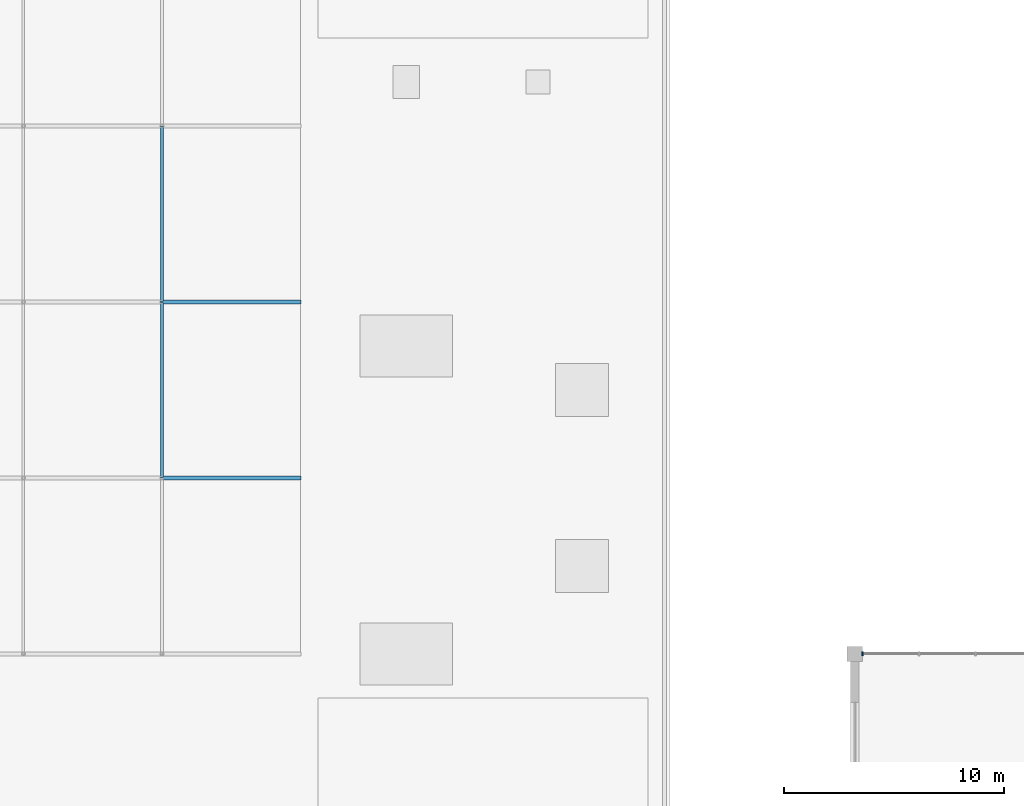
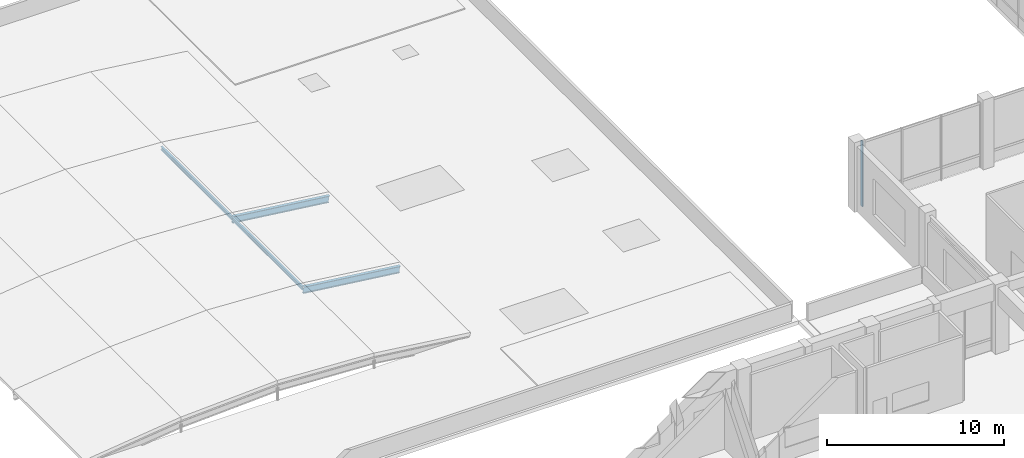
# One storey, part 28 of 76: 5 members, 1 element without a shape of its own.
"""IFC4 building model written with IfcOpenShell, lengths in metres."""

from ifc_helpers import new_model, si_unit, direction, frame, origin, origin_2d, place, context, subcontext, project, spatial, rectangle, i_section, extrude, material, layer, layer_set, material_profile, profile_set, type_object, element, aggregate, save


model = new_model("IFC4")

# Units and contexts
model_context = context("Model", 3, precision=1e-05, world=origin(), true_north=direction((0.0, 1.0)))
body_context = subcontext(model_context, "Body", "Model", "MODEL_VIEW")
ifc_project = project(units=[si_unit("LENGTHUNIT", "METRE"), si_unit("AREAUNIT", "SQUARE_METRE"), si_unit("VOLUMEUNIT", "CUBIC_METRE"), si_unit("PLANEANGLEUNIT", "RADIAN"), si_unit("MASSUNIT", "GRAM", prefix="KILO")], contexts=[model_context])

# Site, building, storey
site_placement = place(None, origin())
site = spatial("IfcSite", under=ifc_project, at=site_placement, CompositionType="ELEMENT")
building_placement = place(site_placement, origin())
building = spatial("IfcBuilding", under=site, at=building_placement, Name="Naruveol Harbour Congress Hotel", CompositionType="ELEMENT")
storey_placement = place(building_placement, frame((0.0, 0.0, 11.39990234375)))
storey = spatial("IfcBuildingStorey", under=building, at=storey_placement, Name="L02", CompositionType="ELEMENT", Elevation=11.39990234375)

# Members
ifc_material_1 = material(Name="Steel SN490", Category="steel")
ifc_material_profile_1 = material_profile(ifc_material_1, i_section(OverallWidth=0.199951171875, OverallDepth=0.449951171875, WebThickness=0.009033203125, FlangeThickness=0.013916015625, at=origin_2d()), Name="H-450x200x9x14")
ifc_profile_set_1 = profile_set([ifc_material_profile_1], Name="Steel SN490")
member_type_1 = type_object("IfcMemberType", Name="STEEL BUTTERFLY CROWN RAFTER H450", PredefinedType="RAFTER", material=ifc_profile_set_1)
for number, where, z_axis, x_axis, name in (
    (1, (18.89990234375, 80.0, 0.530029296875), (0.992613260551, 0.0, -0.121321535508), (0.0, 1.0, 0.0), "Spa vault arch rib #2.4"),
    (2, (18.89990234375, 88.0, 0.530029296875), (0.992613260551, 0.0, -0.121321535508), (0.0, 1.0, 0.0), "Spa vault arch rib #3.4"),
):
    element("IfcMember", number, at=place(storey_placement, frame(where, z_axis=z_axis, x_axis=x_axis)), inside=storey, type_object=member_type_1, Name=name, PredefinedType="RAFTER", context=body_context, shape_type="SweptSolid", body=[
        extrude(i_section(OverallWidth=0.199951171875, OverallDepth=0.449951171875, WebThickness=0.009033203125, FlangeThickness=0.013916015625, at=origin_2d()), origin(), (0.0, 0.0, 1.0), 6.346923828125),
    ])
ifc_material_2 = material(Name="Steel SN490", Category="steel")
ifc_material_profile_2 = material_profile(ifc_material_2, i_section(OverallWidth=0.125, OverallDepth=0.25, WebThickness=0.006103515625, FlangeThickness=0.009033203125, at=origin_2d()), Name="H-250x125x6x9")
ifc_profile_set_2 = profile_set([ifc_material_profile_2], Name="Steel SN490")
member_type_2 = type_object("IfcMemberType", Name="STEEL ROOF PURLIN MEMBER H250", PredefinedType="PURLIN", material=ifc_profile_set_2)
for number, where, z_axis, x_axis, name in (
    (3, (18.89990234375, 80.0, 0.6201171875), (0.0, 1.0, 0.0), (-1.0, 0.0, 0.0), "Spa barrel vault purlin X=18.9"),
    (4, (18.89990234375, 88.0, 0.6201171875), (0.0, 1.0, 0.0), (-1.0, 0.0, 0.0), "Spa barrel vault purlin X=18.9"),
):
    element("IfcMember", number, at=place(storey_placement, frame(where, z_axis=z_axis, x_axis=x_axis)), inside=storey, type_object=member_type_2, Name=name, PredefinedType="PURLIN", context=body_context, shape_type="SweptSolid", body=[
        extrude(i_section(OverallWidth=0.125, OverallDepth=0.25, WebThickness=0.006103515625, FlangeThickness=0.009033203125, at=origin_2d()), origin(), (0.0, 0.0, 1.0), 8.0),
    ])

# Curtain wall, member
ifc_material_3 = material(Name="Low-E Curtain Wall System", Category="glass")
ifc_layer = layer(ifc_material_3, 0.179931640625)
ifc_layer_set = layer_set([ifc_layer], Name="Low-E Curtain Wall System")
curtain_wall_type = type_object("IfcCurtainWallType", Name="UNITISED CURTAIN WALL CW-V4NF-40 7700X4500", PredefinedType="USERDEFINED", material=ifc_layer_set)
curtain_wall_placement = place(storey_placement, origin())
curtain_wall = element("IfcCurtainWall", 5, at=curtain_wall_placement, inside=storey, type_object=curtain_wall_type, Name="Unitised curtain wall CW-V4NF-40 L02", ObjectType="UNITISED GLAZING", PredefinedType="USERDEFINED")
ifc_material_4 = material(Name="Anodised Aluminium 6063-T6", Category="aluminium")
ifc_material_profile_3 = material_profile(ifc_material_4, rectangle(XDim=0.074951171875, YDim=0.179931640625, at=origin_2d()), Name="ALU-75x180")
ifc_profile_set_3 = profile_set([ifc_material_profile_3], Name="Anodised Aluminium 6063-T6")
member_type_3 = type_object("IfcMemberType", Name="THERMAL ALUMINIUM MULLION 75X180", PredefinedType="MULLION", material=ifc_profile_set_3)
member_placement = place(storey_placement, frame((50.75, 72.0, 0.0), z_axis=(0.0, 0.0, 1.0), x_axis=(1.0, 0.0, 0.0)))
member = element("IfcMember", 6, at=member_placement, type_object=member_type_3, Name="Curtain wall mullion CW-L02-0102-M0", PredefinedType="MULLION", context=body_context, shape_type="SweptSolid", body=[
    extrude(rectangle(XDim=0.074951171875, YDim=0.179931640625, at=origin_2d()), origin(), (0.0, 0.0, 1.0), 4.5),
])
aggregate(curtain_wall, [member])

save(model, "model.ifc")
